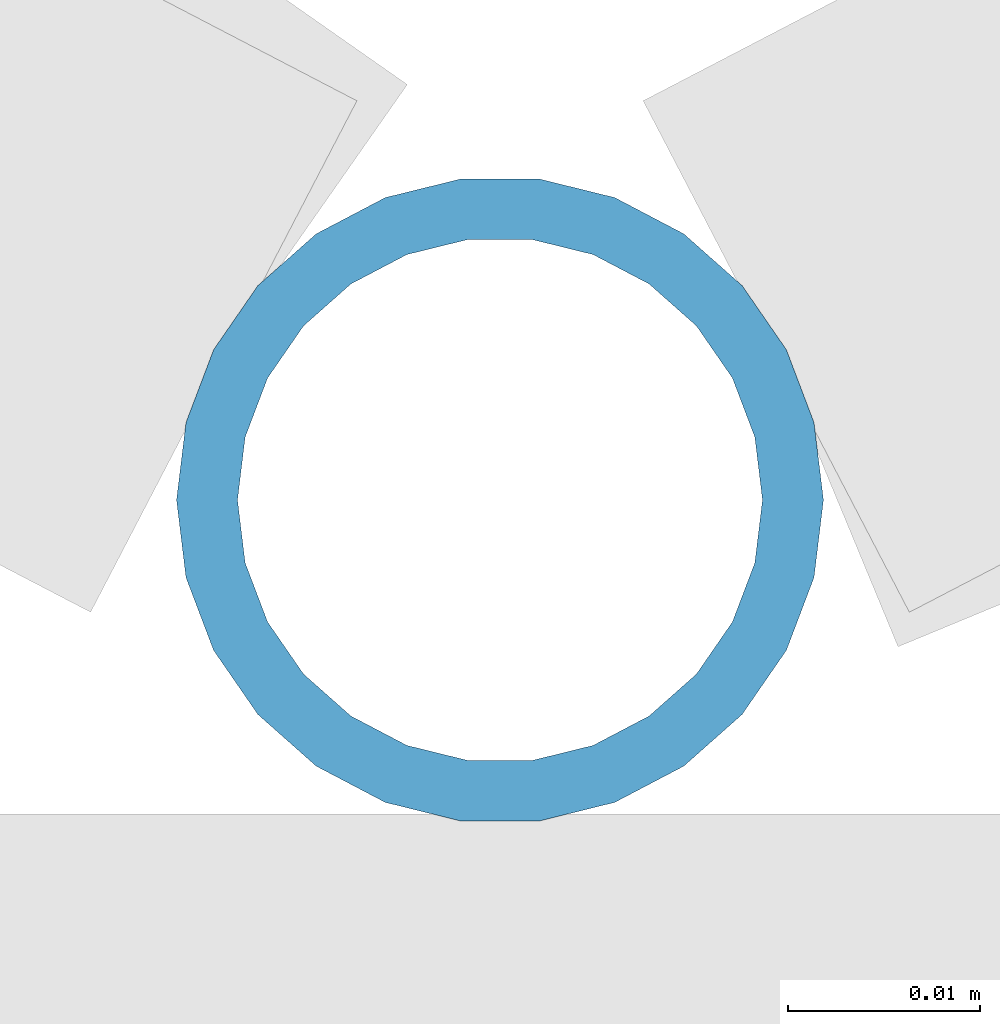
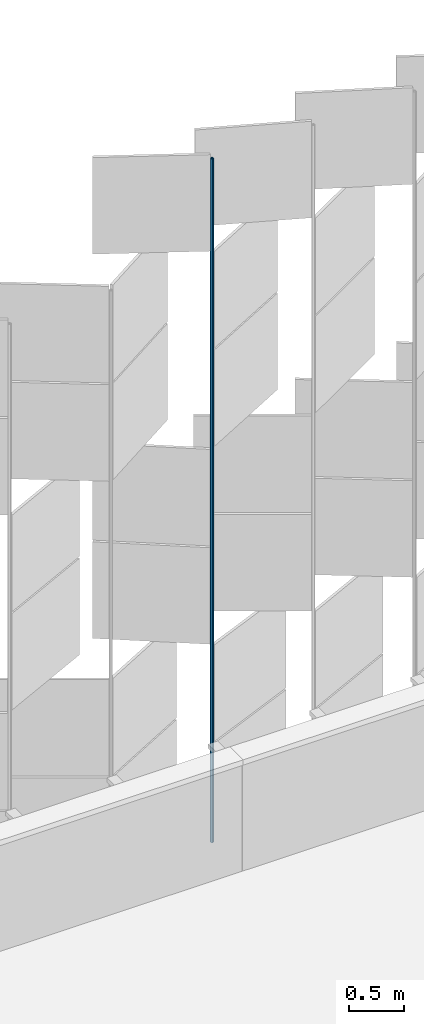
# One storey, part 357 of 483: 1 discrete accessory.
"""IFC4 building model written with IfcOpenShell, lengths in metres."""

import ifcopenshell
import ifcopenshell.guid

model = None  # the IFC model being written
_history = None  # IfcOwnerHistory: only IFC2X3 demands one
_inside = {}  # id of a spatial element -> (the spatial element, [elements in it])
_under = {}  # id of a project, library or spatial element -> (it, [spatial elements below it])
_declared = {}  # id of a project -> (the project, [libraries it declares])
_typed = {}  # id of a type object -> (the type object, [elements of that type])
_made_of = {}  # id of a material, layer set ... -> (it, [elements and type objects made of it])


def new_model(schema):
    """Start an empty IFC model of exactly this schema.

    Asked for "IFC4X3", IfcOpenShell would pick the latest addendum, in which some entities
    have other attributes; the version numbers below select the first issue.
    IFC2X3 requires an IfcOwnerHistory on every rooted entity: one is made here for all.
    """
    global model, _history
    if schema == "IFC4X3":
        model = ifcopenshell.file(schema_version=(4, 3, 0, 0))
    else:
        model = ifcopenshell.file(schema=schema)
    _inside.clear()
    _under.clear()
    _declared.clear()
    _typed.clear()
    _made_of.clear()
    _history = None
    if model.schema == "IFC2X3":
        org = make("IfcOrganization", Name="unknown")
        user = make(
            "IfcPersonAndOrganization",
            ThePerson=make("IfcPerson", FamilyName="unknown"),
            TheOrganization=org,
        )
        app = make(
            "IfcApplication",
            ApplicationDeveloper=org,
            Version="unknown",
            ApplicationFullName="unknown",
            ApplicationIdentifier="unknown",
        )
        _history = make(
            "IfcOwnerHistory",
            OwningUser=user,
            OwningApplication=app,
            ChangeAction="ADDED",
            CreationDate=0,
        )
    return model


def make(cls, **values):
    """One entity of the class cls with the attributes given. An attribute that is None is left unset."""
    return model.create_entity(
        cls, **{name: value for name, value in values.items() if value is not None}
    )


def rooted(cls, **values):
    """An entity with a GlobalId (a new one), such as an element, a storey or a relation."""
    return make(cls, GlobalId=ifcopenshell.guid.new(), OwnerHistory=_history, **values)


def si_unit(unit_type, name, prefix=None):
    """IfcSIUnit, for example si_unit("LENGTHUNIT", "METRE", prefix="MILLI")."""
    return make("IfcSIUnit", UnitType=unit_type, Prefix=prefix, Name=name)


def assignment(units):
    """IfcUnitAssignment: the units of a project."""
    return None if units is None else make("IfcUnitAssignment", Units=units)


def point(xyz):
    """IfcCartesianPoint."""
    return None if xyz is None else make("IfcCartesianPoint", Coordinates=xyz)


def direction(xyz):
    """IfcDirection."""
    return None if xyz is None else make("IfcDirection", DirectionRatios=xyz)


def frame(location, z_axis=None, x_axis=None):
    """IfcAxis2Placement3D, a coordinate frame: its origin and axes. An axis left out is left unset."""
    return make(
        "IfcAxis2Placement3D",
        Location=point(location),
        Axis=direction(z_axis),
        RefDirection=direction(x_axis),
    )


def frame_2d(location, x_axis=None):
    """IfcAxis2Placement2D, a coordinate frame in the plane: its origin and x axis."""
    return make(
        "IfcAxis2Placement2D", Location=point(location), RefDirection=direction(x_axis)
    )


def origin():
    """The frame at (0, 0, 0) with its axes left unset."""
    return frame((0.0, 0.0, 0.0))


def origin_2d():
    """The frame at (0, 0) in the plane with its x axis left unset."""
    return frame_2d((0.0, 0.0))


def place(relative_to, where):
    """IfcLocalPlacement: puts the frame where relative to a parent placement (None: the world)."""
    return make(
        "IfcLocalPlacement", PlacementRelTo=relative_to, RelativePlacement=where
    )


def context(
    kind, dimensions, precision=None, world=None, true_north=None, identifier=None
):
    """IfcGeometricRepresentationContext, for example the 3D "Model" context."""
    return make(
        "IfcGeometricRepresentationContext",
        ContextIdentifier=identifier,
        ContextType=kind,
        CoordinateSpaceDimension=dimensions,
        Precision=precision,
        WorldCoordinateSystem=world,
        TrueNorth=true_north,
    )


def subcontext(parent, identifier, kind, view, scale=None):
    """IfcGeometricRepresentationSubContext, for example "Body" below "Model"."""
    return make(
        "IfcGeometricRepresentationSubContext",
        ContextIdentifier=identifier,
        ContextType=kind,
        ParentContext=parent,
        TargetScale=scale,
        TargetView=view,
    )


def project(units=None, contexts=None):
    """IfcProject with its units and contexts."""
    return rooted(
        "IfcProject",
        Name="project",
        RepresentationContexts=contexts,
        UnitsInContext=assignment(units),
    )


def spatial(cls, under=None, at=None, **own):
    """A site, building, storey or space (cls), placed at a placement, below another one or the project."""
    s = rooted(cls, ObjectPlacement=at, **own)
    if under is not None:
        _under.setdefault(under.id(), (under, []))[1].append(s)
    return s


def profile(cls, at=None, kind="AREA", **sizes):
    """A parametric profile (cls). Its sizes go by their IFC names, for example OverallWidth=200.0."""
    return make(cls, ProfileType=kind, Position=at, **sizes)


def hollow_circle(**sizes):
    """IfcCircleHollowProfileDef."""
    return profile("IfcCircleHollowProfileDef", **sizes)


def extrude(swept, where, along, depth):
    """IfcExtrudedAreaSolid: the profile swept, set in the frame where, extruded along a direction by depth."""
    return make(
        "IfcExtrudedAreaSolid",
        SweptArea=swept,
        Position=where,
        ExtrudedDirection=direction(along),
        Depth=depth,
    )


def shape(context_of_items, identifier, shape_type, items):
    """IfcShapeRepresentation: the items that make up one representation, for example the "Body"."""
    return make(
        "IfcShapeRepresentation",
        ContextOfItems=context_of_items,
        RepresentationIdentifier=identifier,
        RepresentationType=shape_type,
        Items=items,
    )


def material(Name=None, Category=None):
    """IfcMaterial."""
    return make("IfcMaterial", Name=Name, Category=Category)


def material_profile(
    of_material, cross_section, Name=None, Category=None, Priority=None
):
    """IfcMaterialProfile: a cross section and its material."""
    return make(
        "IfcMaterialProfile",
        Name=Name,
        Material=of_material,
        Profile=cross_section,
        Priority=Priority,
        Category=Category,
    )


def profile_set(profiles, Name=None, composite=None):
    """IfcMaterialProfileSet."""
    return make(
        "IfcMaterialProfileSet",
        Name=Name,
        MaterialProfiles=profiles,
        CompositeProfile=composite,
    )


def made_of(thing, what):
    """Note that an element or type object is made of a material, layer set ...; save() writes the relation."""
    if what is not None:
        _made_of.setdefault(what.id(), (what, []))[1].append(thing)
    return thing


def type_object(cls, material=None, **own):
    """A type object (cls), such as IfcWallType, which elements share."""
    return made_of(rooted(cls, **own), material)


def element(
    cls,
    number,
    at=None,
    inside=None,
    cuts=None,
    type_object=None,
    material=None,
    context=None,
    identifier="Body",
    shape_type=None,
    held_by="IfcProductDefinitionShape",
    body=None,
    shapes=None,
    **own,
):
    """One element of the class cls, such as IfcWall. Its Tag is "e" and its number.

    at: its placement. inside: the storey or other place that contains it. cuts: it is an
    opening in that element (IfcRelVoidsElement). A single representation is given by context,
    identifier, shape_type and body (its items); several are given by shapes. held_by: the class
    of the entity that holds the representations. save() writes the other relations.
    """
    e = rooted(cls, Tag="e%d" % number, ObjectPlacement=at, **own)
    if body is not None:
        shapes = [shape(context, identifier, shape_type, body)]
    if shapes is not None:
        e.Representation = make(held_by, Representations=shapes)
    if inside is not None:
        _inside.setdefault(inside.id(), (inside, []))[1].append(e)
    if cuts is not None:
        rooted(
            "IfcRelVoidsElement", RelatingBuildingElement=cuts, RelatedOpeningElement=e
        )
    if type_object is not None:
        _typed.setdefault(type_object.id(), (type_object, []))[1].append(e)
    return made_of(e, material)


def aggregate(whole, parts):
    """IfcRelAggregates: a whole, such as a stair, and the parts it consists of."""
    return rooted("IfcRelAggregates", RelatingObject=whole, RelatedObjects=parts)


def save(model, path):
    """Write the relations noted so far, then the file.

    IfcRelAggregates (storeys below a building ...), IfcRelContainedInSpatialStructure (elements
    in a storey), IfcRelDefinesByType, IfcRelAssociatesMaterial and IfcRelDeclares: one each for
    every whole, place, type object, material and project.
    """
    for whole, parts in _under.values():
        aggregate(whole, parts)
    for where, things in _inside.values():
        rooted(
            "IfcRelContainedInSpatialStructure",
            RelatedElements=things,
            RelatingStructure=where,
        )
    for kind, things in _typed.values():
        rooted("IfcRelDefinesByType", RelatedObjects=things, RelatingType=kind)
    for what, things in _made_of.values():
        rooted("IfcRelAssociatesMaterial", RelatedObjects=things, RelatingMaterial=what)
    for by, libraries in _declared.values():
        rooted("IfcRelDeclares", RelatingContext=by, RelatedDefinitions=libraries)
    model.write(path)


model = new_model("IFC4")

# Units and contexts
model_context = context("Model", 3, precision=1e-05, world=origin(), true_north=direction((0.0, 1.0)))
body_context = subcontext(model_context, "Body", "Model", "MODEL_VIEW")
ifc_project = project(units=[si_unit("LENGTHUNIT", "METRE"), si_unit("AREAUNIT", "SQUARE_METRE"), si_unit("VOLUMEUNIT", "CUBIC_METRE"), si_unit("PLANEANGLEUNIT", "RADIAN"), si_unit("MASSUNIT", "GRAM", prefix="KILO")], contexts=[model_context])

# Site, building, storey
site_placement = place(None, origin())
site = spatial("IfcSite", under=ifc_project, at=site_placement, CompositionType="ELEMENT")
building_placement = place(site_placement, origin())
building = spatial("IfcBuilding", under=site, at=building_placement, Name="Parallax Yard Mobility Hub", CompositionType="ELEMENT")
storey_placement = place(building_placement, frame((0.0, 0.0, 13.199951171875)))
storey = spatial("IfcBuildingStorey", under=building, at=storey_placement, Name="L04", CompositionType="ELEMENT", Elevation=13.199951171875)

# Discrete accessory
ifc_material = material(Name="Steel ASTM A500 Gr C, hot-dip galvanised", Category="steel")
ifc_material_profile = material_profile(ifc_material, hollow_circle(Radius=0.016845703125, WallThickness=0.003173828125, at=origin_2d()), Name="CHS 33.7x3.2")
ifc_profile_set = profile_set([ifc_material_profile], Name="Steel ASTM A500 Gr C, hot-dip galvanised")
discrete_accessory_type = type_object("IfcDiscreteAccessoryType", Name="Hinge post CHS 33.7x3.2", PredefinedType="BRACKET", material=ifc_profile_set)
discrete_accessory_placement = place(storey_placement, frame((127.49658203125, 142.800048828125, 0.0), z_axis=(0.0, 0.0, 1.0), x_axis=(1.0, 0.0, 0.0)))
element("IfcDiscreteAccessory", 1, at=discrete_accessory_placement, inside=storey, type_object=discrete_accessory_type, Name="Hinge post bay 57.1 level L04", PredefinedType="BRACKET", context=body_context, shape_type="SweptSolid", body=[
    extrude(hollow_circle(Radius=0.016845703125, WallThickness=0.003173828125, at=origin_2d()), origin(), (0.0, 0.0, 1.0), 7.650146484375),
])

save(model, "model.ifc")
